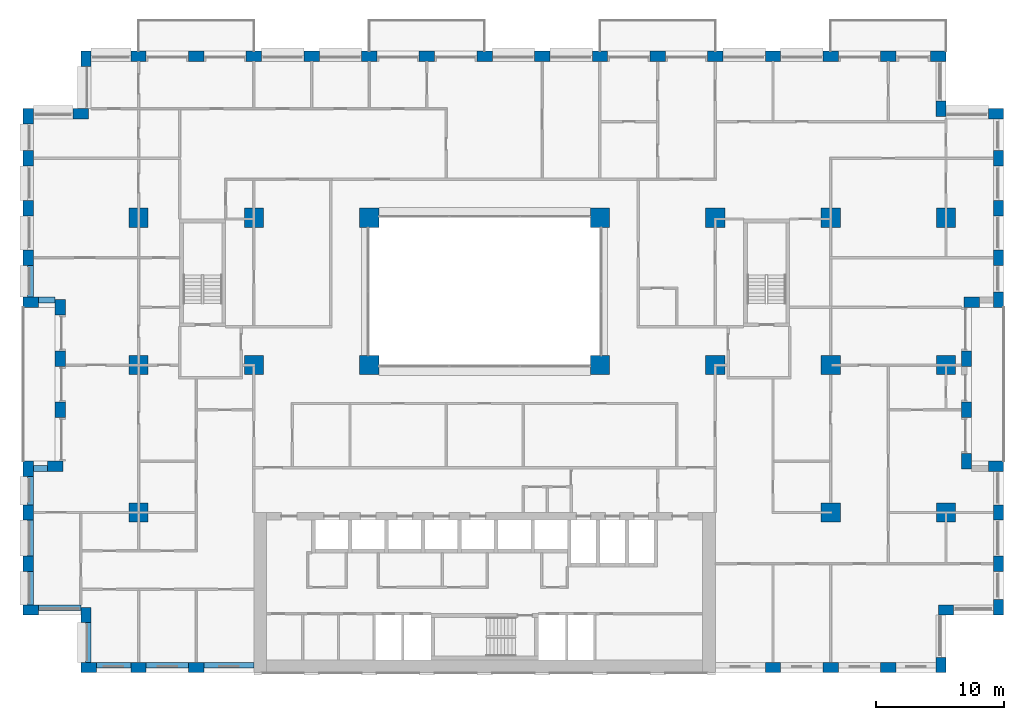
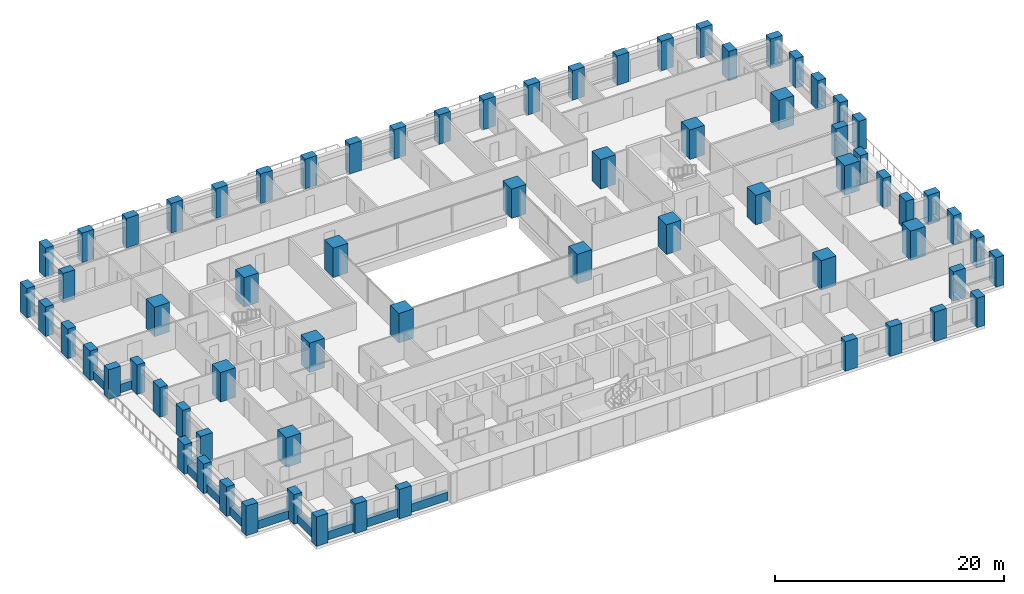
# One storey, part 1 of 20: 70 columns, 11 beams.
"""IFC4 building model written with IfcOpenShell, lengths in metres."""

from ifc_helpers import new_model, si_unit, direction, frame, origin, origin_2d, place, context, subcontext, project, spatial, rectangle, extrude, material, material_profile, profile_set, type_object, element, save


model = new_model("IFC4")

# Units and contexts
model_context = context("Model", 3, precision=1e-05, world=origin(), true_north=direction((0.0, 1.0)))
body_context = subcontext(model_context, "Body", "Model", "MODEL_VIEW")
ifc_project = project(units=[si_unit("LENGTHUNIT", "METRE"), si_unit("AREAUNIT", "SQUARE_METRE"), si_unit("VOLUMEUNIT", "CUBIC_METRE"), si_unit("PLANEANGLEUNIT", "RADIAN"), si_unit("MASSUNIT", "GRAM", prefix="KILO")], contexts=[model_context])

# Site, building, storey
site_placement = place(None, origin())
site = spatial("IfcSite", under=ifc_project, at=site_placement, CompositionType="ELEMENT")
building_placement = place(site_placement, origin())
building = spatial("IfcBuilding", under=site, at=building_placement, Name="Brigalow Station Residences", CompositionType="ELEMENT")
storey_placement = place(building_placement, frame((0.0, 0.0, 57.300048828125)))
storey = spatial("IfcBuildingStorey", under=building, at=storey_placement, Name="L16", CompositionType="ELEMENT", Elevation=57.300048828125)

# Columns
ifc_material_1 = material(Name="Concrete C80", Category="concrete")
ifc_material_profile_1 = material_profile(ifc_material_1, rectangle(XDim=1.5, YDim=1.5, at=origin_2d()), Name="RC1500x1500")
ifc_profile_set_1 = profile_set([ifc_material_profile_1], Name="Concrete C80")
column_type_1 = type_object("IfcColumnType", Name="COLUMN 1500x1500 C80", PredefinedType="COLUMN", material=ifc_profile_set_1)
for number, where, z_axis, x_axis, name in (
    (1, (9.0, 24.0, 0.0), (0.0, 0.0, 1.0), (1.0, 0.0, 0.0), "COLUMN C1 L16"),
    (2, (18.0, 24.0, 0.0), (0.0, 0.0, 1.0), (1.0, 0.0, 0.0), "COLUMN C2 L16"),
    (3, (27.0, 24.0, 0.0), (0.0, 0.0, 1.0), (1.0, 0.0, 0.0), "COLUMN C3 L16"),
    (4, (45.0, 24.0, 0.0), (0.0, 0.0, 1.0), (1.0, 0.0, 0.0), "COLUMN C5 L16"),
    (5, (54.0, 24.0, 0.0), (0.0, 0.0, 1.0), (1.0, 0.0, 0.0), "COLUMN C6 L16"),
    (6, (63.0, 24.0, 0.0), (0.0, 0.0, 1.0), (1.0, 0.0, 0.0), "COLUMN C7 L16"),
    (7, (72.0, 24.0, 0.0), (0.0, 0.0, 1.0), (1.0, 0.0, 0.0), "COLUMN C8 L16"),
    (8, (9.0, 35.5, 0.0), (0.0, 0.0, 1.0), (1.0, 0.0, 0.0), "COLUMN D1 L16"),
    (9, (18.0, 35.5, 0.0), (0.0, 0.0, 1.0), (1.0, 0.0, 0.0), "COLUMN D2 L16"),
    (10, (27.0, 35.5, 0.0), (0.0, 0.0, 1.0), (1.0, 0.0, 0.0), "COLUMN D3 L16"),
    (11, (45.0, 35.5, 0.0), (0.0, 0.0, 1.0), (1.0, 0.0, 0.0), "COLUMN D5 L16"),
    (12, (54.0, 35.5, 0.0), (0.0, 0.0, 1.0), (1.0, 0.0, 0.0), "COLUMN D6 L16"),
    (13, (63.0, 35.5, 0.0), (0.0, 0.0, 1.0), (1.0, 0.0, 0.0), "COLUMN D7 L16"),
    (14, (72.0, 35.5, 0.0), (0.0, 0.0, 1.0), (1.0, 0.0, 0.0), "COLUMN D8 L16"),
    (15, (9.0, 12.5, 0.0), (0.0, 0.0, 1.0), (1.0, 0.0, 0.0), "COLUMN B1 L16"),
    (16, (63.0, 12.5, 0.0), (0.0, 0.0, 1.0), (1.0, 0.0, 0.0), "COLUMN B7 L16"),
    (17, (72.0, 12.5, 0.0), (0.0, 0.0, 1.0), (1.0, 0.0, 0.0), "COLUMN B8 L16"),
):
    element("IfcColumn", number, at=place(storey_placement, frame(where, z_axis=z_axis, x_axis=x_axis)), inside=storey, type_object=column_type_1, Name=name, PredefinedType="COLUMN", context=body_context, shape_type="SweptSolid", body=[
        extrude(rectangle(XDim=1.5, YDim=1.5, at=origin_2d()), origin(), (0.0, 0.0, 1.0), 3.14990234375),
    ])
ifc_material_2 = material(Name="Concrete C80", Category="concrete")
ifc_material_profile_2 = material_profile(ifc_material_2, rectangle(XDim=1.199951171875, YDim=0.800048828125, at=origin_2d()), Name="RC1200x800")
ifc_profile_set_2 = profile_set([ifc_material_profile_2], Name="Concrete C80")
column_type_2 = type_object("IfcColumnType", Name="PIER 1200x800 C80", PredefinedType="USERDEFINED", material=ifc_profile_set_2)
for number, where, z_axis, x_axis, name in (
    (18, (5.10009765625, 0.39990234375, 0.0), (0.0, 0.0, 1.0), (1.0, 0.0, 0.0), "PIER S-1 L16"),
    (19, (9.0, 0.39990234375, 0.0), (0.0, 0.0, 1.0), (1.0, 0.0, 0.0), "PIER S-2 L16"),
    (20, (13.5, 0.39990234375, 0.0), (0.0, 0.0, 1.0), (1.0, 0.0, 0.0), "PIER S-3 L16"),
    (21, (58.5, 0.39990234375, 0.0), (0.0, 0.0, 1.0), (1.0, 0.0, 0.0), "PIER S-13 L16"),
    (22, (63.0, 0.39990234375, 0.0), (0.0, 0.0, 1.0), (1.0, 0.0, 0.0), "PIER S-14 L16"),
    (23, (67.5, 0.39990234375, 0.0), (0.0, 0.0, 1.0), (1.0, 0.0, 0.0), "PIER S-15 L16"),
    (24, (71.60009765625, 0.60009765625, 0.0), (0.0, 0.0, 1.0), (0.0, 1.0, 0.0), "PIER SE1-1 L16"),
    (25, (72.0, 4.89990234375, 0.0), (0.0, 0.0, 1.0), (1.0, 0.0, 0.0), "PIER SE2-1 L16"),
    (26, (76.10009765625, 5.10009765625, 0.0), (0.0, 0.0, 1.0), (0.0, 1.0, 0.0), "PIER E1-1 L16"),
    (27, (76.10009765625, 8.5, 0.0), (0.0, 0.0, 1.0), (0.0, 1.0, 0.0), "PIER E1-2 L16"),
    (28, (76.10009765625, 12.5, 0.0), (0.0, 0.0, 1.0), (0.0, 1.0, 0.0), "PIER E1-3 L16"),
    (29, (75.89990234375, 16.10009765625, 0.0), (0.0, 0.0, 1.0), (-1.0, 0.0, 0.0), "PIER EL1-1 L16"),
    (30, (73.60009765625, 16.5, 0.0), (0.0, 0.0, 1.0), (0.0, 1.0, 0.0), "PIER EL2-1 L16"),
    (31, (73.60009765625, 20.5, 0.0), (0.0, 0.0, 1.0), (0.0, 1.0, 0.0), "PIER EL2-2 L16"),
    (32, (73.60009765625, 24.5, 0.0), (0.0, 0.0, 1.0), (0.0, 1.0, 0.0), "PIER EL2-3 L16"),
    (33, (74.0, 28.89990234375, 0.0), (0.0, 0.0, 1.0), (1.0, 0.0, 0.0), "PIER EL3-1 L16"),
    (34, (76.10009765625, 29.10009765625, 0.0), (0.0, 0.0, 1.0), (0.0, 1.0, 0.0), "PIER E2-1 L16"),
    (35, (76.10009765625, 32.375, 0.0), (0.0, 0.0, 1.0), (0.0, 1.0, 0.0), "PIER E2-2 L16"),
    (36, (76.10009765625, 36.25, 0.0), (0.0, 0.0, 1.0), (0.0, 1.0, 0.0), "PIER E2-3 L16"),
    (37, (76.10009765625, 40.125, 0.0), (0.0, 0.0, 1.0), (0.0, 1.0, 0.0), "PIER E2-4 L16"),
    (38, (75.89990234375, 43.60009765625, 0.0), (0.0, 0.0, 1.0), (-1.0, 0.0, 0.0), "PIER NE1-1 L16"),
    (39, (71.60009765625, 44.0, 0.0), (0.0, 0.0, 1.0), (0.0, 1.0, 0.0), "PIER NE2-1 L16"),
    (40, (71.39990234375, 48.10009765625, 0.0), (0.0, 0.0, 1.0), (-1.0, 0.0, 0.0), "PIER N-1 L16"),
    (41, (67.5, 48.10009765625, 0.0), (0.0, 0.0, 1.0), (-1.0, 0.0, 0.0), "PIER N-2 L16"),
    (42, (63.0, 48.10009765625, 0.0), (0.0, 0.0, 1.0), (-1.0, 0.0, 0.0), "PIER N-3 L16"),
    (43, (58.5, 48.10009765625, 0.0), (0.0, 0.0, 1.0), (-1.0, 0.0, 0.0), "PIER N-4 L16"),
    (44, (54.0, 48.10009765625, 0.0), (0.0, 0.0, 1.0), (-1.0, 0.0, 0.0), "PIER N-5 L16"),
    (45, (49.5, 48.10009765625, 0.0), (0.0, 0.0, 1.0), (-1.0, 0.0, 0.0), "PIER N-6 L16"),
    (46, (45.0, 48.10009765625, 0.0), (0.0, 0.0, 1.0), (-1.0, 0.0, 0.0), "PIER N-7 L16"),
    (47, (40.5, 48.10009765625, 0.0), (0.0, 0.0, 1.0), (-1.0, 0.0, 0.0), "PIER N-8 L16"),
    (48, (36.0, 48.10009765625, 0.0), (0.0, 0.0, 1.0), (-1.0, 0.0, 0.0), "PIER N-9 L16"),
    (49, (31.5, 48.10009765625, 0.0), (0.0, 0.0, 1.0), (-1.0, 0.0, 0.0), "PIER N-10 L16"),
    (50, (27.0, 48.10009765625, 0.0), (0.0, 0.0, 1.0), (-1.0, 0.0, 0.0), "PIER N-11 L16"),
    (51, (22.5, 48.10009765625, 0.0), (0.0, 0.0, 1.0), (-1.0, 0.0, 0.0), "PIER N-12 L16"),
    (52, (18.0, 48.10009765625, 0.0), (0.0, 0.0, 1.0), (-1.0, 0.0, 0.0), "PIER N-13 L16"),
    (53, (13.5, 48.10009765625, 0.0), (0.0, 0.0, 1.0), (-1.0, 0.0, 0.0), "PIER N-14 L16"),
    (54, (9.0, 48.10009765625, 0.0), (0.0, 0.0, 1.0), (-1.0, 0.0, 0.0), "PIER N-15 L16"),
    (55, (4.89990234375, 47.89990234375, 0.0), (0.0, 0.0, 1.0), (0.0, -1.0, 0.0), "PIER NW1-1 L16"),
    (56, (4.5, 43.60009765625, 0.0), (0.0, 0.0, 1.0), (-1.0, 0.0, 0.0), "PIER NW2-1 L16"),
    (57, (0.39990234375, 43.39990234375, 0.0), (0.0, 0.0, 1.0), (0.0, -1.0, 0.0), "PIER W2-1 L16"),
    (58, (0.39990234375, 40.125, 0.0), (0.0, 0.0, 1.0), (0.0, -1.0, 0.0), "PIER W2-2 L16"),
    (59, (0.39990234375, 36.25, 0.0), (0.0, 0.0, 1.0), (0.0, -1.0, 0.0), "PIER W2-3 L16"),
    (60, (0.39990234375, 32.375, 0.0), (0.0, 0.0, 1.0), (0.0, -1.0, 0.0), "PIER W2-4 L16"),
    (61, (0.60009765625, 28.89990234375, 0.0), (0.0, 0.0, 1.0), (1.0, 0.0, 0.0), "PIER WL1-1 L16"),
    (62, (2.89990234375, 28.5, 0.0), (0.0, 0.0, 1.0), (0.0, -1.0, 0.0), "PIER WL2-1 L16"),
    (63, (2.89990234375, 24.5, 0.0), (0.0, 0.0, 1.0), (0.0, -1.0, 0.0), "PIER WL2-2 L16"),
    (64, (2.89990234375, 20.5, 0.0), (0.0, 0.0, 1.0), (0.0, -1.0, 0.0), "PIER WL2-3 L16"),
    (65, (2.5, 16.10009765625, 0.0), (0.0, 0.0, 1.0), (-1.0, 0.0, 0.0), "PIER WL3-1 L16"),
    (66, (0.39990234375, 15.89990234375, 0.0), (0.0, 0.0, 1.0), (0.0, -1.0, 0.0), "PIER W1-1 L16"),
    (67, (0.39990234375, 12.5, 0.0), (0.0, 0.0, 1.0), (0.0, -1.0, 0.0), "PIER W1-2 L16"),
    (68, (0.39990234375, 8.5, 0.0), (0.0, 0.0, 1.0), (0.0, -1.0, 0.0), "PIER W1-3 L16"),
    (69, (0.60009765625, 4.89990234375, 0.0), (0.0, 0.0, 1.0), (1.0, 0.0, 0.0), "PIER SW1-1 L16"),
    (70, (4.89990234375, 4.5, 0.0), (0.0, 0.0, 1.0), (0.0, -1.0, 0.0), "PIER SW2-1 L16"),
):
    element("IfcColumn", number, at=place(storey_placement, frame(where, z_axis=z_axis, x_axis=x_axis)), inside=storey, type_object=column_type_2, Name=name, ObjectType="PIER", PredefinedType="USERDEFINED", context=body_context, shape_type="SweptSolid", body=[
        extrude(rectangle(XDim=1.199951171875, YDim=0.800048828125, at=origin_2d()), origin(), (0.0, 0.0, 1.0), 3.14990234375),
    ])

# Beams
ifc_material_3 = material(Name="Concrete C65", Category="concrete")
ifc_material_profile_3 = material_profile(ifc_material_3, rectangle(XDim=0.449951171875, YDim=0.89990234375, at=origin_2d()), Name="RC450x900")
ifc_profile_set_3 = profile_set([ifc_material_profile_3], Name="Concrete C65")
beam_type = type_object("IfcBeamType", Name="SPANDREL BEAM 450x900 C65", PredefinedType="SPANDREL", material=ifc_profile_set_3)
beam_1_placement = place(storey_placement, frame((5.699951171875, 0.574951171875, 0.449951171875), z_axis=(1.0, 0.0, 0.0), x_axis=(0.0, 1.0, 0.0)))
element("IfcBeam", 71, at=beam_1_placement, inside=storey, type_object=beam_type, Name="L16/spandrel/W-L16-1", PredefinedType="SPANDREL", context=body_context, shape_type="SweptSolid", body=[
    extrude(rectangle(XDim=0.449951171875, YDim=0.89990234375, at=origin_2d()), origin(), (0.0, 0.0, 1.0), 2.699951171875),
])
beam_2_placement = place(storey_placement, frame((9.60009765625, 0.574951171875, 0.449951171875), z_axis=(1.0, 0.0, 0.0), x_axis=(0.0, 1.0, 0.0)))
element("IfcBeam", 72, at=beam_2_placement, inside=storey, type_object=beam_type, Name="L16/spandrel/W-L16-2", PredefinedType="SPANDREL", context=body_context, shape_type="SweptSolid", body=[
    extrude(rectangle(XDim=0.449951171875, YDim=0.89990234375, at=origin_2d()), origin(), (0.0, 0.0, 1.0), 3.2998046875),
])
beam_3_placement = place(storey_placement, frame((14.10009765625, 0.574951171875, 0.449951171875), z_axis=(1.0, 0.0, 0.0), x_axis=(0.0, 1.0, 0.0)))
element("IfcBeam", 73, at=beam_3_placement, inside=storey, type_object=beam_type, Name="L16/spandrel/W-L16-3", PredefinedType="SPANDREL", context=body_context, shape_type="SweptSolid", body=[
    extrude(rectangle(XDim=0.449951171875, YDim=0.89990234375, at=origin_2d()), origin(), (0.0, 0.0, 1.0), 3.89990234375),
])
beam_4_placement = place(storey_placement, frame((0.574951171875, 31.77490234375, 0.449951171875), z_axis=(0.0, -1.0, 0.0), x_axis=(1.0, 0.0, 0.0)))
element("IfcBeam", 74, at=beam_4_placement, inside=storey, type_object=beam_type, Name="L16/spandrel/W-L16-45", PredefinedType="SPANDREL", context=body_context, shape_type="SweptSolid", body=[
    extrude(rectangle(XDim=0.449951171875, YDim=0.89990234375, at=origin_2d()), origin(), (0.0, 0.0, 1.0), 2.474853515625),
])
beam_5_placement = place(storey_placement, frame((1.199951171875, 29.074951171875, 0.449951171875), z_axis=(1.0, 0.0, 0.0), x_axis=(0.0, 1.0, 0.0)))
element("IfcBeam", 75, at=beam_5_placement, inside=storey, type_object=beam_type, Name="L16/spandrel/W-L16-46", PredefinedType="SPANDREL", context=body_context, shape_type="SweptSolid", body=[
    extrude(rectangle(XDim=0.449951171875, YDim=0.89990234375, at=origin_2d()), origin(), (0.0, 0.0, 1.0), 1.300048828125),
])
beam_6_placement = place(storey_placement, frame((1.89990234375, 15.925048828125, 0.449951171875), z_axis=(-1.0, 0.0, 0.0), x_axis=(0.0, -1.0, 0.0)))
element("IfcBeam", 76, at=beam_6_placement, inside=storey, type_object=beam_type, Name="L16/spandrel/W-L16-50", PredefinedType="SPANDREL", context=body_context, shape_type="SweptSolid", body=[
    extrude(rectangle(XDim=0.449951171875, YDim=0.89990234375, at=origin_2d()), origin(), (0.0, 0.0, 1.0), 1.099853515625),
])
beam_7_placement = place(storey_placement, frame((0.574951171875, 15.300048828125, 0.449951171875), z_axis=(0.0, -1.0, 0.0), x_axis=(1.0, 0.0, 0.0)))
element("IfcBeam", 77, at=beam_7_placement, inside=storey, type_object=beam_type, Name="L16/spandrel/W-L16-51", PredefinedType="SPANDREL", context=body_context, shape_type="SweptSolid", body=[
    extrude(rectangle(XDim=0.449951171875, YDim=0.89990234375, at=origin_2d()), origin(), (0.0, 0.0, 1.0), 2.199951171875),
])
beam_8_placement = place(storey_placement, frame((0.574951171875, 11.89990234375, 0.449951171875), z_axis=(0.0, -1.0, 0.0), x_axis=(1.0, 0.0, 0.0)))
element("IfcBeam", 78, at=beam_8_placement, inside=storey, type_object=beam_type, Name="L16/spandrel/W-L16-52", PredefinedType="SPANDREL", context=body_context, shape_type="SweptSolid", body=[
    extrude(rectangle(XDim=0.449951171875, YDim=0.89990234375, at=origin_2d()), origin(), (0.0, 0.0, 1.0), 2.7998046875),
])
beam_9_placement = place(storey_placement, frame((0.574951171875, 7.89990234375, 0.449951171875), z_axis=(0.0, -1.0, 0.0), x_axis=(1.0, 0.0, 0.0)))
element("IfcBeam", 79, at=beam_9_placement, inside=storey, type_object=beam_type, Name="L16/spandrel/W-L16-53", PredefinedType="SPANDREL", context=body_context, shape_type="SweptSolid", body=[
    extrude(rectangle(XDim=0.449951171875, YDim=0.89990234375, at=origin_2d()), origin(), (0.0, 0.0, 1.0), 2.599853515625),
])
beam_10_placement = place(storey_placement, frame((1.199951171875, 5.074951171875, 0.449951171875), z_axis=(1.0, 0.0, 0.0), x_axis=(0.0, 1.0, 0.0)))
element("IfcBeam", 80, at=beam_10_placement, inside=storey, type_object=beam_type, Name="L16/spandrel/W-L16-54", PredefinedType="SPANDREL", context=body_context, shape_type="SweptSolid", body=[
    extrude(rectangle(XDim=0.449951171875, YDim=0.89990234375, at=origin_2d()), origin(), (0.0, 0.0, 1.0), 3.300048828125),
])
beam_11_placement = place(storey_placement, frame((5.074951171875, 3.89990234375, 0.449951171875), z_axis=(0.0, -1.0, 0.0), x_axis=(1.0, 0.0, 0.0)))
element("IfcBeam", 81, at=beam_11_placement, inside=storey, type_object=beam_type, Name="L16/spandrel/W-L16-55", PredefinedType="SPANDREL", context=body_context, shape_type="SweptSolid", body=[
    extrude(rectangle(XDim=0.449951171875, YDim=0.89990234375, at=origin_2d()), origin(), (0.0, 0.0, 1.0), 3.099853515625),
])

save(model, "model.ifc")
